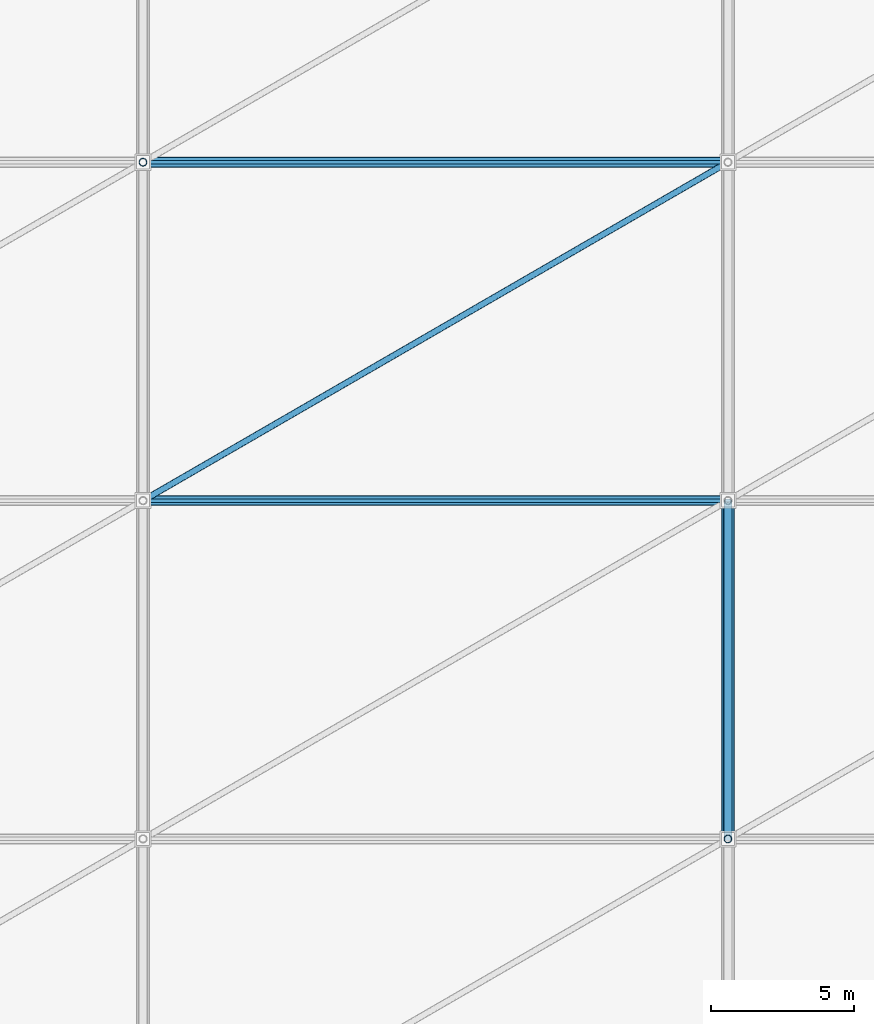
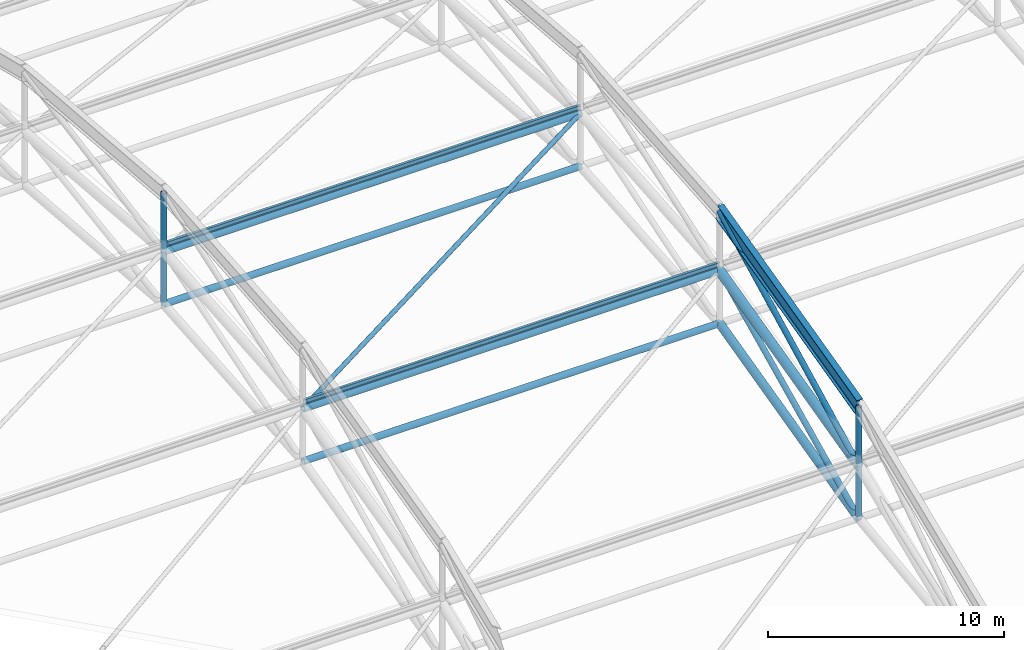
# One storey, part 18 of 135: 15 members, 1 beam.
"""IFC4 building model written with IfcOpenShell, lengths in metres."""

from ifc_helpers import new_model, si_unit, direction, frame, origin, origin_2d, place, context, subcontext, project, spatial, hollow_circle, i_section, extrude, material, material_profile, profile_set, type_object, element, save


model = new_model("IFC4")

# Units and contexts
model_context = context("Model", 3, precision=1e-05, world=origin(), true_north=direction((0.0, 1.0)))
body_context = subcontext(model_context, "Body", "Model", "MODEL_VIEW")
ifc_project = project(units=[si_unit("LENGTHUNIT", "METRE"), si_unit("AREAUNIT", "SQUARE_METRE"), si_unit("VOLUMEUNIT", "CUBIC_METRE"), si_unit("PLANEANGLEUNIT", "RADIAN"), si_unit("MASSUNIT", "GRAM", prefix="KILO")], contexts=[model_context])

# Site, building, storey
site_placement = place(None, origin())
site = spatial("IfcSite", under=ifc_project, at=site_placement, CompositionType="ELEMENT")
building_placement = place(site_placement, origin())
building = spatial("IfcBuilding", under=site, at=building_placement, Name="Brelvane Convention Centre", CompositionType="ELEMENT")
storey_placement = place(building_placement, frame((0.0, 0.0, 15.0)))
storey = spatial("IfcBuildingStorey", under=building, at=storey_placement, Name="L03", CompositionType="ELEMENT", Elevation=15.0)

# Beam
ifc_material_1 = material(Name="Steel E450 (450 MPa)", Category="steel")
ifc_material_profile_1 = material_profile(ifc_material_1, i_section(OverallWidth=0.300048828125, OverallDepth=0.800048828125, WebThickness=0.015380859375, FlangeThickness=0.030029296875, FilletRadius=0.027099609375, at=origin_2d()), Name="NPB 800x300")
ifc_profile_set_1 = profile_set([ifc_material_profile_1], Name="Steel E450 (450 MPa)")
beam_type = type_object("IfcBeamType", Name="Steel Beam B-ST2 (NPB 800x300)", PredefinedType="BEAM", material=ifc_profile_set_1)
beam_placement = place(storey_placement, frame((40.800048828125, 40.60009765625, 10.288818359375), z_axis=(0.0, 0.970462914592, 0.241250350054), x_axis=(-1.0, 0.0, 0.0)))
element("IfcBeam", 1, at=beam_placement, inside=storey, type_object=beam_type, Name="EXO_EXH Exoskeletal Arch Girder 3.2", PredefinedType="BEAM", context=body_context, shape_type="SweptSolid", body=[
    extrude(i_section(OverallWidth=0.300048828125, OverallDepth=0.800048828125, WebThickness=0.015380859375, FlangeThickness=0.030029296875, FilletRadius=0.027099609375, at=origin_2d()), origin(), (0.0, 0.0, 1.0), 12.158935546875),
])

# Members
ifc_material_2 = material(Name="Steel E350 (350 MPa)", Category="steel")
ifc_material_profile_2 = material_profile(ifc_material_2, hollow_circle(Radius=0.136474609375, WallThickness=0.012451171875, at=origin_2d()), Name="CHS 273.0x12.5")
ifc_profile_set_2 = profile_set([ifc_material_profile_2], Name="Steel E350 (350 MPa)")
member_type_1 = type_object("IfcMemberType", Name="Steel Brace SF-DG1 (CHS 273.0x12.5)", PredefinedType="BRACE", material=ifc_profile_set_2)
member_1_placement = place(storey_placement, frame((40.800048828125, 40.60009765625, 4.489013671875), z_axis=(0.0, 0.901249063661, 0.433301425397), x_axis=(-1.0, 0.0, 0.0)))
element("IfcMember", 2, at=member_1_placement, inside=storey, type_object=member_type_1, Name="SF_EXH Space-Frame Web Diagonal D3.2", PredefinedType="BRACE", context=body_context, shape_type="SweptSolid", body=[
    extrude(hollow_circle(Radius=0.136474609375, WallThickness=0.012451171875, at=origin_2d()), origin(), (0.0, 0.0, 1.0), 13.0927734375),
])
member_2_placement = place(storey_placement, frame((40.800048828125, 40.60009765625, 7.22900390625), z_axis=(0.0, 0.891590690557, 0.45284218058), x_axis=(-1.0, 0.0, 0.0)))
element("IfcMember", 3, at=member_2_placement, inside=storey, type_object=member_type_1, Name="EXO_EXH Exoskeletal Arch Web 3.2", PredefinedType="BRACE", context=body_context, shape_type="SweptSolid", body=[
    extrude(hollow_circle(Radius=0.136474609375, WallThickness=0.012451171875, at=origin_2d()), origin(), (0.0, 0.0, 1.0), 13.234619140625),
])
ifc_material_3 = material(Name="Steel E350 (350 MPa)", Category="steel")
ifc_material_profile_3 = material_profile(ifc_material_3, hollow_circle(Radius=0.109619140625, WallThickness=0.010009765625, at=origin_2d()), Name="CHS 219.1x10.0")
ifc_profile_set_3 = profile_set([ifc_material_profile_3], Name="Steel E350 (350 MPa)")
member_type_2 = type_object("IfcMemberType", Name="Steel Brace SF-DG2 (CHS 219.1x10.0)", PredefinedType="BRACE", material=ifc_profile_set_3)
member_3_placement = place(storey_placement, frame((20.39990234375, 52.39990234375, 10.162109375), z_axis=(0.864876490486, 0.500270173346, 0.041453707493), x_axis=(-0.500700562715, 0.865620555727, 0.0)))
element("IfcMember", 4, at=member_3_placement, inside=storey, type_object=member_type_2, Name="SF_EXH Roof Diaphragm Brace PB2.3", PredefinedType="BRACE", context=body_context, shape_type="SweptSolid", body=[
    extrude(hollow_circle(Radius=0.109619140625, WallThickness=0.010009765625, at=origin_2d()), origin(), (0.0, 0.0, 1.0), 23.58740234375),
])
ifc_material_4 = material(Name="Steel E450 (450 MPa)", Category="steel")
ifc_material_profile_4 = material_profile(ifc_material_4, hollow_circle(Radius=0.203125, WallThickness=0.01611328125, at=origin_2d()), Name="CHS 406.4x16.0")
ifc_profile_set_4 = profile_set([ifc_material_profile_4], Name="Steel E450 (450 MPa)")
member_type_3 = type_object("IfcMemberType", Name="Steel Chord SF-BC1 (CHS 406.4x16.0)", PredefinedType="CHORD", material=ifc_profile_set_4)
member_4_placement = place(storey_placement, frame((40.800048828125, 40.60009765625, 4.489013671875), z_axis=(0.0, 0.97046761544, 0.241231439458), x_axis=(-1.0, 0.0, 0.0)))
element("IfcMember", 5, at=member_4_placement, inside=storey, type_object=member_type_3, Name="SF_EXH Space-Frame Bottom Chord B3.2", PredefinedType="CHORD", context=body_context, shape_type="SweptSolid", body=[
    extrude(hollow_circle(Radius=0.203125, WallThickness=0.01611328125, at=origin_2d()), origin(), (0.0, 0.0, 1.0), 12.158935546875),
])
ifc_material_5 = material(Name="Steel E350 (350 MPa)", Category="steel")
ifc_material_profile_5 = material_profile(ifc_material_5, hollow_circle(Radius=0.161865234375, WallThickness=0.012451171875, at=origin_2d()), Name="CHS 323.9x12.5")
ifc_profile_set_5 = profile_set([ifc_material_profile_5], Name="Steel E350 (350 MPa)")
member_type_4 = type_object("IfcMemberType", Name="Steel Chord SF-BC2 (CHS 323.9x12.5)", PredefinedType="CHORD", material=ifc_profile_set_5)
for number, where, z_axis, x_axis, name in (
    (6, (20.39990234375, 52.39990234375, 7.422119140625), (1.0, 0.0, 0.0), (0.0, 1.0, 0.0), "SF_EXH Longitudinal Bottom Chord LB2.3"),
    (7, (20.39990234375, 64.199951171875, 8.39990234375), (1.0, 0.0, 0.0), (0.0, 1.0, 0.0), "SF_EXH Longitudinal Bottom Chord LB2.4"),
):
    element("IfcMember", number, at=place(storey_placement, frame(where, z_axis=z_axis, x_axis=x_axis)), inside=storey, type_object=member_type_4, Name=name, PredefinedType="CHORD", context=body_context, shape_type="SweptSolid", body=[
        extrude(hollow_circle(Radius=0.161865234375, WallThickness=0.012451171875, at=origin_2d()), origin(), (0.0, 0.0, 1.0), 20.400146484375),
    ])
ifc_material_6 = material(Name="Steel E450 (450 MPa)", Category="steel")
ifc_material_profile_6 = material_profile(ifc_material_6, hollow_circle(Radius=0.228515625, WallThickness=0.02001953125, at=origin_2d()), Name="CHS 457.0x20.0")
ifc_profile_set_6 = profile_set([ifc_material_profile_6], Name="Steel E450 (450 MPa)")
member_type_5 = type_object("IfcMemberType", Name="Steel Chord SF-TC1 (CHS 457.0x20.0)", PredefinedType="CHORD", material=ifc_profile_set_6)
member_5_placement = place(storey_placement, frame((40.800048828125, 40.60009765625, 7.22900390625), z_axis=(0.0, 0.97046761544, 0.241231439458), x_axis=(-1.0, 0.0, 0.0)))
element("IfcMember", 8, at=member_5_placement, inside=storey, type_object=member_type_5, Name="SF_EXH Space-Frame Top Chord T3.2", PredefinedType="CHORD", context=body_context, shape_type="SweptSolid", body=[
    extrude(hollow_circle(Radius=0.228515625, WallThickness=0.02001953125, at=origin_2d()), origin(), (0.0, 0.0, 1.0), 12.158935546875),
])
ifc_material_7 = material(Name="Steel E450 (450 MPa)", Category="steel")
ifc_material_profile_7 = material_profile(ifc_material_7, hollow_circle(Radius=0.177734375, WallThickness=0.01611328125, at=origin_2d()), Name="CHS 355.6x16.0")
ifc_profile_set_7 = profile_set([ifc_material_profile_7], Name="Steel E450 (450 MPa)")
member_type_6 = type_object("IfcMemberType", Name="Steel Chord SF-TC2 (CHS 355.6x16.0)", PredefinedType="CHORD", material=ifc_profile_set_7)
for number, where, z_axis, x_axis, name in (
    (9, (20.39990234375, 52.39990234375, 10.162109375), (1.0, 0.0, 0.0), (0.0, 1.0, 0.0), "SF_EXH Longitudinal Top Chord LT2.3"),
    (10, (20.39990234375, 64.199951171875, 11.139892578125), (1.0, 0.0, 0.0), (0.0, 1.0, 0.0), "SF_EXH Longitudinal Top Chord LT2.4"),
):
    element("IfcMember", number, at=place(storey_placement, frame(where, z_axis=z_axis, x_axis=x_axis)), inside=storey, type_object=member_type_6, Name=name, PredefinedType="CHORD", context=body_context, shape_type="SweptSolid", body=[
        extrude(hollow_circle(Radius=0.177734375, WallThickness=0.01611328125, at=origin_2d()), origin(), (0.0, 0.0, 1.0), 20.400146484375),
    ])
ifc_material_8 = material(Name="Steel E350 (350 MPa)", Category="steel")
ifc_material_profile_8 = material_profile(ifc_material_8, i_section(OverallWidth=0.125, OverallDepth=0.25, WebThickness=0.0068359375, FlangeThickness=0.012451171875, FilletRadius=0.012939453125, at=origin_2d()), Name="ISMB 250")
ifc_profile_set_8 = profile_set([ifc_material_profile_8], Name="Steel E350 (350 MPa)")
member_type_7 = type_object("IfcMemberType", Name="Steel Purlin PR-ST1 (ISMB 250)", PredefinedType="PURLIN", material=ifc_profile_set_8)
for number, where, z_axis, x_axis, name in (
    (11, (20.39990234375, 52.39990234375, 10.497314453125), (1.0, 0.0, 0.0), (0.0, 1.0, 0.0), "SF_EXH Roof Purlin P2.3"),
    (12, (20.39990234375, 64.199951171875, 11.47509765625), (1.0, 0.0, 0.0), (0.0, 1.0, 0.0), "SF_EXH Roof Purlin P2.4"),
):
    element("IfcMember", number, at=place(storey_placement, frame(where, z_axis=z_axis, x_axis=x_axis)), inside=storey, type_object=member_type_7, Name=name, PredefinedType="PURLIN", context=body_context, shape_type="SweptSolid", body=[
        extrude(i_section(OverallWidth=0.125, OverallDepth=0.25, WebThickness=0.0068359375, FlangeThickness=0.012451171875, FilletRadius=0.012939453125, at=origin_2d()), origin(), (0.0, 0.0, 1.0), 20.400146484375),
    ])
ifc_material_9 = material(Name="Steel E350 (350 MPa)", Category="steel")
ifc_material_profile_9 = material_profile(ifc_material_9, hollow_circle(Radius=0.136474609375, WallThickness=0.012451171875, at=origin_2d()), Name="CHS 273.0x12.5")
ifc_profile_set_9 = profile_set([ifc_material_profile_9], Name="Steel E350 (350 MPa)")
member_type_8 = type_object("IfcMemberType", Name="Steel Strut SF-VT1 (CHS 273.0x12.5)", PredefinedType="STRUT", material=ifc_profile_set_9)
for number, where, z_axis, x_axis, name in (
    (13, (20.39990234375, 64.199951171875, 8.39990234375), (0.0, 0.0, 1.0), (1.0, 0.0, 0.0), "SF_EXH Space-Frame Post V2.3"),
    (14, (40.800048828125, 40.60009765625, 4.489013671875), (0.0, 0.0, 1.0), (1.0, 0.0, 0.0), "SF_EXH Space-Frame Post V3.1"),
):
    element("IfcMember", number, at=place(storey_placement, frame(where, z_axis=z_axis, x_axis=x_axis)), inside=storey, type_object=member_type_8, Name=name, PredefinedType="STRUT", context=body_context, shape_type="SweptSolid", body=[
        extrude(hollow_circle(Radius=0.136474609375, WallThickness=0.012451171875, at=origin_2d()), origin(), (0.0, 0.0, 1.0), 2.739990234375),
    ])
member_6_placement = place(storey_placement, frame((20.39990234375, 64.199951171875, 11.139892578125), z_axis=(0.0, 0.0, 1.0), x_axis=(1.0, 0.0, 0.0)))
element("IfcMember", 15, at=member_6_placement, inside=storey, type_object=member_type_8, Name="EXO_EXH Roof Suspension Hanger 2.3", PredefinedType="STRUT", context=body_context, shape_type="SweptSolid", body=[
    extrude(hollow_circle(Radius=0.136474609375, WallThickness=0.012451171875, at=origin_2d()), origin(), (0.0, 0.0, 1.0), 3.06005859375),
])
member_7_placement = place(storey_placement, frame((40.800048828125, 40.60009765625, 7.22900390625), z_axis=(0.0, 0.0, 1.0), x_axis=(1.0, 0.0, 0.0)))
element("IfcMember", 16, at=member_7_placement, inside=storey, type_object=member_type_8, Name="EXO_EXH Roof Suspension Hanger 3.1", PredefinedType="STRUT", context=body_context, shape_type="SweptSolid", body=[
    extrude(hollow_circle(Radius=0.136474609375, WallThickness=0.012451171875, at=origin_2d()), origin(), (0.0, 0.0, 1.0), 3.059814453125),
])

save(model, "model.ifc")
